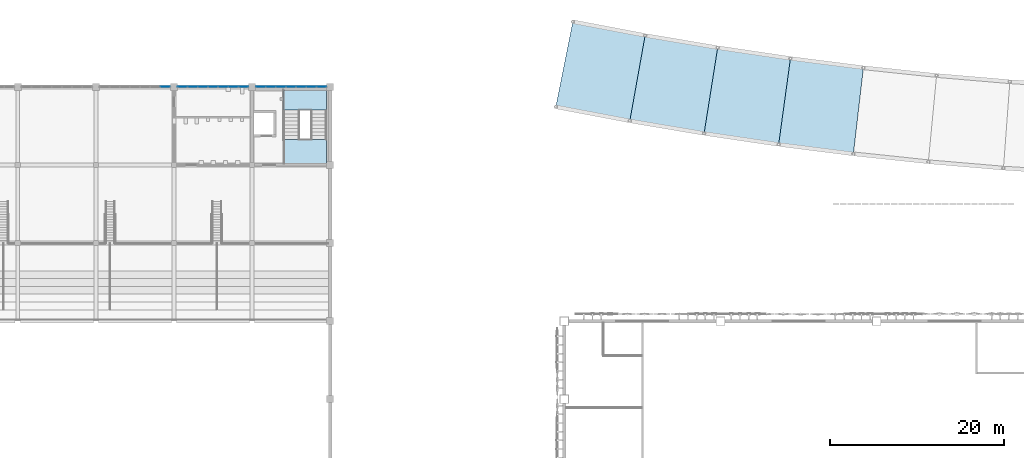
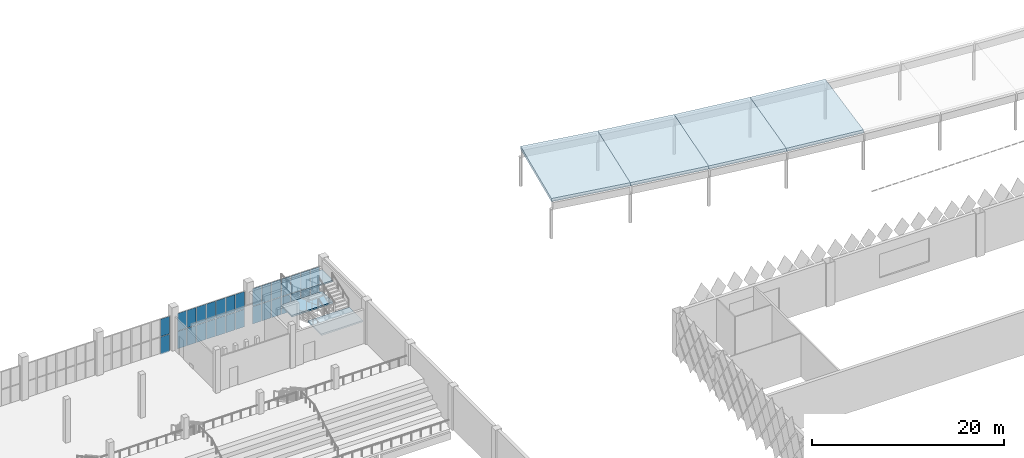
# One storey, part 90 of 185: 30 plates, 7 slabs, 4 elements without a shape of their own.
"""IFC4 building model written with IfcOpenShell, lengths in metres."""

from ifc_helpers import new_model, si_unit, direction, frame, origin, origin_2d, place, context, subcontext, project, spatial, polyline, rectangle, outline, extrude, material, layer, layer_set, type_object, element, aggregate, save


model = new_model("IFC4")

# Units and contexts
model_context = context("Model", 3, precision=1e-05, world=origin(), true_north=direction((0.0, 1.0)))
body_context = subcontext(model_context, "Body", "Model", "MODEL_VIEW")
ifc_project = project(units=[si_unit("LENGTHUNIT", "METRE"), si_unit("AREAUNIT", "SQUARE_METRE"), si_unit("VOLUMEUNIT", "CUBIC_METRE"), si_unit("PLANEANGLEUNIT", "RADIAN"), si_unit("MASSUNIT", "GRAM", prefix="KILO")], contexts=[model_context])

# Site, building, storey
site_placement = place(None, origin())
site = spatial("IfcSite", under=ifc_project, at=site_placement, CompositionType="ELEMENT")
building_placement = place(site_placement, origin())
building = spatial("IfcBuilding", under=site, at=building_placement, Name="Opaline Strait Convention Centre", CompositionType="ELEMENT")
storey_placement = place(building_placement, frame((0.0, 0.0, 6.0)))
storey = spatial("IfcBuildingStorey", under=building, at=storey_placement, Name="L01", CompositionType="ELEMENT", Elevation=6.0)

# Slabs
ifc_material_1 = material(Name="Concrete C40", Category="concrete")
ifc_layer_1 = layer(ifc_material_1, 0.39990234375)
ifc_layer_set_1 = layer_set([ifc_layer_1], Name="Concrete C40")
slab_type_1 = type_object("IfcSlabType", Name="Arcade roof plate 400 C40", PredefinedType="ROOF", material=ifc_layer_set_1)
slab_1_placement = place(storey_placement, frame((0.0, 0.0, 4.60009765625)))
element("IfcSlab", 1, at=slab_1_placement, inside=storey, type_object=slab_type_1, Name="Strait Arcade roof plate 1", PredefinedType="ROOF", context=body_context, shape_type="SweptSolid", body=[
    extrude(outline(polyline([(98.019287109375, 177.697021484375), (106.550537109375, 176.07958984375), (108.314453125, 185.9228515625), (99.980712890625, 187.5029296875), (98.019287109375, 177.697021484375)])), origin(), (0.0, 0.0, 1.0), 0.39990234375),
])
slab_2_placement = place(storey_placement, frame((0.0, 0.0, 4.60009765625)))
element("IfcSlab", 2, at=slab_2_placement, inside=storey, type_object=slab_type_1, Name="Strait Arcade roof plate 2", PredefinedType="ROOF", context=body_context, shape_type="SweptSolid", body=[
    extrude(outline(polyline([(106.550537109375, 176.07958984375), (115.11376953125, 174.634765625), (116.67724609375, 184.51171875), (108.314453125, 185.9228515625), (106.550537109375, 176.07958984375)])), origin(), (0.0, 0.0, 1.0), 0.39990234375),
])
slab_3_placement = place(storey_placement, frame((0.0, 0.0, 4.60009765625)))
element("IfcSlab", 3, at=slab_3_placement, inside=storey, type_object=slab_type_1, Name="Strait Arcade roof plate 3", PredefinedType="ROOF", context=body_context, shape_type="SweptSolid", body=[
    extrude(outline(polyline([(115.11376953125, 174.634765625), (123.705810546875, 173.364990234375), (125.066162109375, 183.27197265625), (116.67724609375, 184.51171875), (115.11376953125, 174.634765625)])), origin(), (0.0, 0.0, 1.0), 0.39990234375),
])
slab_4_placement = place(storey_placement, frame((0.0, 0.0, 4.60009765625)))
element("IfcSlab", 4, at=slab_4_placement, inside=storey, type_object=slab_type_1, Name="Strait Arcade roof plate 4", PredefinedType="ROOF", context=body_context, shape_type="SweptSolid", body=[
    extrude(outline(polyline([(123.705810546875, 173.364990234375), (132.32275390625, 172.272216796875), (133.47802734375, 182.205078125), (125.066162109375, 183.27197265625), (123.705810546875, 173.364990234375)])), origin(), (0.0, 0.0, 1.0), 0.39990234375),
])

# Curtain wall, plates
ifc_material_2 = material(Name="Aluminium framed double glazing", Category="aluminium")
ifc_layer_2 = layer(ifc_material_2, 0.199951171875)
ifc_layer_set_2 = layer_set([ifc_layer_2], Name="Aluminium framed double glazing")
curtain_wall_type = type_object("IfcCurtainWallType", Name="Curtain wall 1250", PredefinedType="NOTDEFINED", material=ifc_layer_set_2)
curtain_wall_1_placement = place(storey_placement, origin())
curtain_wall_1 = element("IfcCurtainWall", 5, at=curtain_wall_1_placement, inside=storey, type_object=curtain_wall_type, Name="Curtain wall N-45-L01", PredefinedType="NOTDEFINED")
ifc_material_3 = material(Name="Double glazed unit low emissivity", Category="glass")
ifc_layer_3 = layer(ifc_material_3, 0.028076171875)
ifc_layer_set_3 = layer_set([ifc_layer_3], Name="Double glazed unit low emissivity")
plate_type = type_object("IfcPlateType", Name="Curtain wall glass panel 28", PredefinedType="CURTAIN_PANEL", material=ifc_layer_set_3)
plate_1_placement = place(storey_placement, frame((52.999267578125, 180.0, -0.219970703125), z_axis=(0.0, 0.0, 1.0), x_axis=(1.0, 0.0, 0.0)))
plate_1 = element("IfcPlate", 6, at=plate_1_placement, type_object=plate_type, Name="PCW panel 7.1", PredefinedType="CURTAIN_PANEL", context=body_context, shape_type="SweptSolid", body=[
    extrude(rectangle(XDim=1.08154296875, YDim=0.028076171875, at=origin_2d()), origin(), (0.0, 0.0, 1.0), 2.2099609375),
])
plate_2_placement = place(storey_placement, frame((52.999267578125, 180.0, 2.050048828125), z_axis=(0.0, 0.0, 1.0), x_axis=(1.0, 0.0, 0.0)))
plate_2 = element("IfcPlate", 7, at=plate_2_placement, type_object=plate_type, Name="PCW panel 7.2", PredefinedType="CURTAIN_PANEL", context=body_context, shape_type="SweptSolid", body=[
    extrude(rectangle(XDim=1.08154296875, YDim=0.028076171875, at=origin_2d()), origin(), (0.0, 0.0, 1.0), 2.2099609375),
])
aggregate(curtain_wall_1, [plate_1, plate_2])

curtain_wall_2_placement = place(storey_placement, origin())
curtain_wall_2 = element("IfcCurtainWall", 8, at=curtain_wall_2_placement, inside=storey, type_object=curtain_wall_type, Name="Curtain wall N-54-L01", PredefinedType="NOTDEFINED")
plate_3_placement = place(storey_placement, frame((55.000732421875, 180.0, -0.219970703125), z_axis=(0.0, 0.0, 1.0), x_axis=(1.0, 0.0, 0.0)))
plate_3 = element("IfcPlate", 9, at=plate_3_placement, type_object=plate_type, Name="PCW panel 1.1", PredefinedType="CURTAIN_PANEL", context=body_context, shape_type="SweptSolid", body=[
    extrude(rectangle(XDim=1.08154296875, YDim=0.028076171875, at=origin_2d()), origin(), (0.0, 0.0, 1.0), 2.2099609375),
])
plate_4_placement = place(storey_placement, frame((55.000732421875, 180.0, 2.050048828125), z_axis=(0.0, 0.0, 1.0), x_axis=(1.0, 0.0, 0.0)))
plate_4 = element("IfcPlate", 10, at=plate_4_placement, type_object=plate_type, Name="PCW panel 1.2", PredefinedType="CURTAIN_PANEL", context=body_context, shape_type="SweptSolid", body=[
    extrude(rectangle(XDim=1.08154296875, YDim=0.028076171875, at=origin_2d()), origin(), (0.0, 0.0, 1.0), 2.2099609375),
])
plate_5_placement = place(storey_placement, frame((56.156982421875, 180.0, -0.219970703125), z_axis=(0.0, 0.0, 1.0), x_axis=(1.0, 0.0, 0.0)))
plate_5 = element("IfcPlate", 11, at=plate_5_placement, type_object=plate_type, Name="PCW panel 2.1", PredefinedType="CURTAIN_PANEL", context=body_context, shape_type="SweptSolid", body=[
    extrude(rectangle(XDim=1.111572265625, YDim=0.028076171875, at=origin_2d()), origin(), (0.0, 0.0, 1.0), 2.2099609375),
])
plate_6_placement = place(storey_placement, frame((56.156982421875, 180.0, 2.050048828125), z_axis=(0.0, 0.0, 1.0), x_axis=(1.0, 0.0, 0.0)))
plate_6 = element("IfcPlate", 12, at=plate_6_placement, type_object=plate_type, Name="PCW panel 2.2", PredefinedType="CURTAIN_PANEL", context=body_context, shape_type="SweptSolid", body=[
    extrude(rectangle(XDim=1.111572265625, YDim=0.028076171875, at=origin_2d()), origin(), (0.0, 0.0, 1.0), 2.2099609375),
])
plate_7_placement = place(storey_placement, frame((57.32861328125, 180.0, -0.219970703125), z_axis=(0.0, 0.0, 1.0), x_axis=(1.0, 0.0, 0.0)))
plate_7 = element("IfcPlate", 13, at=plate_7_placement, type_object=plate_type, Name="PCW panel 3.1", PredefinedType="CURTAIN_PANEL", context=body_context, shape_type="SweptSolid", body=[
    extrude(rectangle(XDim=1.111572265625, YDim=0.028076171875, at=origin_2d()), origin(), (0.0, 0.0, 1.0), 2.2099609375),
])
plate_8_placement = place(storey_placement, frame((57.32861328125, 180.0, 2.050048828125), z_axis=(0.0, 0.0, 1.0), x_axis=(1.0, 0.0, 0.0)))
plate_8 = element("IfcPlate", 14, at=plate_8_placement, type_object=plate_type, Name="PCW panel 3.2", PredefinedType="CURTAIN_PANEL", context=body_context, shape_type="SweptSolid", body=[
    extrude(rectangle(XDim=1.111572265625, YDim=0.028076171875, at=origin_2d()), origin(), (0.0, 0.0, 1.0), 2.2099609375),
])
plate_9_placement = place(storey_placement, frame((58.5, 180.0, -0.219970703125), z_axis=(0.0, 0.0, 1.0), x_axis=(1.0, 0.0, 0.0)))
plate_9 = element("IfcPlate", 15, at=plate_9_placement, type_object=plate_type, Name="PCW panel 4.1", PredefinedType="CURTAIN_PANEL", context=body_context, shape_type="SweptSolid", body=[
    extrude(rectangle(XDim=1.111572265625, YDim=0.028076171875, at=origin_2d()), origin(), (0.0, 0.0, 1.0), 2.2099609375),
])
plate_10_placement = place(storey_placement, frame((58.5, 180.0, 2.050048828125), z_axis=(0.0, 0.0, 1.0), x_axis=(1.0, 0.0, 0.0)))
plate_10 = element("IfcPlate", 16, at=plate_10_placement, type_object=plate_type, Name="PCW panel 4.2", PredefinedType="CURTAIN_PANEL", context=body_context, shape_type="SweptSolid", body=[
    extrude(rectangle(XDim=1.111572265625, YDim=0.028076171875, at=origin_2d()), origin(), (0.0, 0.0, 1.0), 2.2099609375),
])
plate_11_placement = place(storey_placement, frame((59.67138671875, 180.0, -0.219970703125), z_axis=(0.0, 0.0, 1.0), x_axis=(1.0, 0.0, 0.0)))
plate_11 = element("IfcPlate", 17, at=plate_11_placement, type_object=plate_type, Name="PCW panel 5.1", PredefinedType="CURTAIN_PANEL", context=body_context, shape_type="SweptSolid", body=[
    extrude(rectangle(XDim=1.111572265625, YDim=0.028076171875, at=origin_2d()), origin(), (0.0, 0.0, 1.0), 2.2099609375),
])
plate_12_placement = place(storey_placement, frame((59.67138671875, 180.0, 2.050048828125), z_axis=(0.0, 0.0, 1.0), x_axis=(1.0, 0.0, 0.0)))
plate_12 = element("IfcPlate", 18, at=plate_12_placement, type_object=plate_type, Name="PCW panel 5.2", PredefinedType="CURTAIN_PANEL", context=body_context, shape_type="SweptSolid", body=[
    extrude(rectangle(XDim=1.111572265625, YDim=0.028076171875, at=origin_2d()), origin(), (0.0, 0.0, 1.0), 2.2099609375),
])
plate_13_placement = place(storey_placement, frame((60.843017578125, 180.0, -0.219970703125), z_axis=(0.0, 0.0, 1.0), x_axis=(1.0, 0.0, 0.0)))
plate_13 = element("IfcPlate", 19, at=plate_13_placement, type_object=plate_type, Name="PCW panel 6.1", PredefinedType="CURTAIN_PANEL", context=body_context, shape_type="SweptSolid", body=[
    extrude(rectangle(XDim=1.111572265625, YDim=0.028076171875, at=origin_2d()), origin(), (0.0, 0.0, 1.0), 2.2099609375),
])
plate_14_placement = place(storey_placement, frame((60.843017578125, 180.0, 2.050048828125), z_axis=(0.0, 0.0, 1.0), x_axis=(1.0, 0.0, 0.0)))
plate_14 = element("IfcPlate", 20, at=plate_14_placement, type_object=plate_type, Name="PCW panel 6.2", PredefinedType="CURTAIN_PANEL", context=body_context, shape_type="SweptSolid", body=[
    extrude(rectangle(XDim=1.111572265625, YDim=0.028076171875, at=origin_2d()), origin(), (0.0, 0.0, 1.0), 2.2099609375),
])
plate_15_placement = place(storey_placement, frame((61.999267578125, 180.0, -0.219970703125), z_axis=(0.0, 0.0, 1.0), x_axis=(1.0, 0.0, 0.0)))
plate_15 = element("IfcPlate", 21, at=plate_15_placement, type_object=plate_type, Name="PCW panel 7.1", PredefinedType="CURTAIN_PANEL", context=body_context, shape_type="SweptSolid", body=[
    extrude(rectangle(XDim=1.08154296875, YDim=0.028076171875, at=origin_2d()), origin(), (0.0, 0.0, 1.0), 2.2099609375),
])
plate_16_placement = place(storey_placement, frame((61.999267578125, 180.0, 2.050048828125), z_axis=(0.0, 0.0, 1.0), x_axis=(1.0, 0.0, 0.0)))
plate_16 = element("IfcPlate", 22, at=plate_16_placement, type_object=plate_type, Name="PCW panel 7.2", PredefinedType="CURTAIN_PANEL", context=body_context, shape_type="SweptSolid", body=[
    extrude(rectangle(XDim=1.08154296875, YDim=0.028076171875, at=origin_2d()), origin(), (0.0, 0.0, 1.0), 2.2099609375),
])
aggregate(curtain_wall_2, [plate_3, plate_4, plate_5, plate_6, plate_7, plate_8, plate_9, plate_10, plate_11, plate_12, plate_13, plate_14, plate_15, plate_16])

curtain_wall_3_placement = place(storey_placement, origin())
curtain_wall_3 = element("IfcCurtainWall", 23, at=curtain_wall_3_placement, inside=storey, type_object=curtain_wall_type, Name="Curtain wall N-63-L01", PredefinedType="NOTDEFINED")
plate_17_placement = place(storey_placement, frame((64.000732421875, 180.0, -0.219970703125), z_axis=(0.0, 0.0, 1.0), x_axis=(1.0, 0.0, 0.0)))
plate_17 = element("IfcPlate", 24, at=plate_17_placement, type_object=plate_type, Name="PCW panel 1.1", PredefinedType="CURTAIN_PANEL", context=body_context, shape_type="SweptSolid", body=[
    extrude(rectangle(XDim=1.08154296875, YDim=0.028076171875, at=origin_2d()), origin(), (0.0, 0.0, 1.0), 2.2099609375),
])
plate_18_placement = place(storey_placement, frame((64.000732421875, 180.0, 2.050048828125), z_axis=(0.0, 0.0, 1.0), x_axis=(1.0, 0.0, 0.0)))
plate_18 = element("IfcPlate", 25, at=plate_18_placement, type_object=plate_type, Name="PCW panel 1.2", PredefinedType="CURTAIN_PANEL", context=body_context, shape_type="SweptSolid", body=[
    extrude(rectangle(XDim=1.08154296875, YDim=0.028076171875, at=origin_2d()), origin(), (0.0, 0.0, 1.0), 2.2099609375),
])
plate_19_placement = place(storey_placement, frame((65.156982421875, 180.0, -0.219970703125), z_axis=(0.0, 0.0, 1.0), x_axis=(1.0, 0.0, 0.0)))
plate_19 = element("IfcPlate", 26, at=plate_19_placement, type_object=plate_type, Name="PCW panel 2.1", PredefinedType="CURTAIN_PANEL", context=body_context, shape_type="SweptSolid", body=[
    extrude(rectangle(XDim=1.111572265625, YDim=0.028076171875, at=origin_2d()), origin(), (0.0, 0.0, 1.0), 2.2099609375),
])
plate_20_placement = place(storey_placement, frame((65.156982421875, 180.0, 2.050048828125), z_axis=(0.0, 0.0, 1.0), x_axis=(1.0, 0.0, 0.0)))
plate_20 = element("IfcPlate", 27, at=plate_20_placement, type_object=plate_type, Name="PCW panel 2.2", PredefinedType="CURTAIN_PANEL", context=body_context, shape_type="SweptSolid", body=[
    extrude(rectangle(XDim=1.111572265625, YDim=0.028076171875, at=origin_2d()), origin(), (0.0, 0.0, 1.0), 2.2099609375),
])
plate_21_placement = place(storey_placement, frame((66.32861328125, 180.0, -0.219970703125), z_axis=(0.0, 0.0, 1.0), x_axis=(1.0, 0.0, 0.0)))
plate_21 = element("IfcPlate", 28, at=plate_21_placement, type_object=plate_type, Name="PCW panel 3.1", PredefinedType="CURTAIN_PANEL", context=body_context, shape_type="SweptSolid", body=[
    extrude(rectangle(XDim=1.111572265625, YDim=0.028076171875, at=origin_2d()), origin(), (0.0, 0.0, 1.0), 2.2099609375),
])
plate_22_placement = place(storey_placement, frame((66.32861328125, 180.0, 2.050048828125), z_axis=(0.0, 0.0, 1.0), x_axis=(1.0, 0.0, 0.0)))
plate_22 = element("IfcPlate", 29, at=plate_22_placement, type_object=plate_type, Name="PCW panel 3.2", PredefinedType="CURTAIN_PANEL", context=body_context, shape_type="SweptSolid", body=[
    extrude(rectangle(XDim=1.111572265625, YDim=0.028076171875, at=origin_2d()), origin(), (0.0, 0.0, 1.0), 2.2099609375),
])
plate_23_placement = place(storey_placement, frame((67.5, 180.0, -0.219970703125), z_axis=(0.0, 0.0, 1.0), x_axis=(1.0, 0.0, 0.0)))
plate_23 = element("IfcPlate", 30, at=plate_23_placement, type_object=plate_type, Name="PCW panel 4.1", PredefinedType="CURTAIN_PANEL", context=body_context, shape_type="SweptSolid", body=[
    extrude(rectangle(XDim=1.111572265625, YDim=0.028076171875, at=origin_2d()), origin(), (0.0, 0.0, 1.0), 2.2099609375),
])
plate_24_placement = place(storey_placement, frame((67.5, 180.0, 2.050048828125), z_axis=(0.0, 0.0, 1.0), x_axis=(1.0, 0.0, 0.0)))
plate_24 = element("IfcPlate", 31, at=plate_24_placement, type_object=plate_type, Name="PCW panel 4.2", PredefinedType="CURTAIN_PANEL", context=body_context, shape_type="SweptSolid", body=[
    extrude(rectangle(XDim=1.111572265625, YDim=0.028076171875, at=origin_2d()), origin(), (0.0, 0.0, 1.0), 2.2099609375),
])
plate_25_placement = place(storey_placement, frame((68.67138671875, 180.0, -0.219970703125), z_axis=(0.0, 0.0, 1.0), x_axis=(1.0, 0.0, 0.0)))
plate_25 = element("IfcPlate", 32, at=plate_25_placement, type_object=plate_type, Name="PCW panel 5.1", PredefinedType="CURTAIN_PANEL", context=body_context, shape_type="SweptSolid", body=[
    extrude(rectangle(XDim=1.111572265625, YDim=0.028076171875, at=origin_2d()), origin(), (0.0, 0.0, 1.0), 2.2099609375),
])
plate_26_placement = place(storey_placement, frame((68.67138671875, 180.0, 2.050048828125), z_axis=(0.0, 0.0, 1.0), x_axis=(1.0, 0.0, 0.0)))
plate_26 = element("IfcPlate", 33, at=plate_26_placement, type_object=plate_type, Name="PCW panel 5.2", PredefinedType="CURTAIN_PANEL", context=body_context, shape_type="SweptSolid", body=[
    extrude(rectangle(XDim=1.111572265625, YDim=0.028076171875, at=origin_2d()), origin(), (0.0, 0.0, 1.0), 2.2099609375),
])
plate_27_placement = place(storey_placement, frame((69.843017578125, 180.0, -0.219970703125), z_axis=(0.0, 0.0, 1.0), x_axis=(1.0, 0.0, 0.0)))
plate_27 = element("IfcPlate", 34, at=plate_27_placement, type_object=plate_type, Name="PCW panel 6.1", PredefinedType="CURTAIN_PANEL", context=body_context, shape_type="SweptSolid", body=[
    extrude(rectangle(XDim=1.111572265625, YDim=0.028076171875, at=origin_2d()), origin(), (0.0, 0.0, 1.0), 2.2099609375),
])
plate_28_placement = place(storey_placement, frame((69.843017578125, 180.0, 2.050048828125), z_axis=(0.0, 0.0, 1.0), x_axis=(1.0, 0.0, 0.0)))
plate_28 = element("IfcPlate", 35, at=plate_28_placement, type_object=plate_type, Name="PCW panel 6.2", PredefinedType="CURTAIN_PANEL", context=body_context, shape_type="SweptSolid", body=[
    extrude(rectangle(XDim=1.111572265625, YDim=0.028076171875, at=origin_2d()), origin(), (0.0, 0.0, 1.0), 2.2099609375),
])
plate_29_placement = place(storey_placement, frame((70.999267578125, 180.0, -0.219970703125), z_axis=(0.0, 0.0, 1.0), x_axis=(1.0, 0.0, 0.0)))
plate_29 = element("IfcPlate", 36, at=plate_29_placement, type_object=plate_type, Name="PCW panel 7.1", PredefinedType="CURTAIN_PANEL", context=body_context, shape_type="SweptSolid", body=[
    extrude(rectangle(XDim=1.08154296875, YDim=0.028076171875, at=origin_2d()), origin(), (0.0, 0.0, 1.0), 2.2099609375),
])
plate_30_placement = place(storey_placement, frame((70.999267578125, 180.0, 2.050048828125), z_axis=(0.0, 0.0, 1.0), x_axis=(1.0, 0.0, 0.0)))
plate_30 = element("IfcPlate", 37, at=plate_30_placement, type_object=plate_type, Name="PCW panel 7.2", PredefinedType="CURTAIN_PANEL", context=body_context, shape_type="SweptSolid", body=[
    extrude(rectangle(XDim=1.08154296875, YDim=0.028076171875, at=origin_2d()), origin(), (0.0, 0.0, 1.0), 2.2099609375),
])
aggregate(curtain_wall_3, [plate_17, plate_18, plate_19, plate_20, plate_21, plate_22, plate_23, plate_24, plate_25, plate_26, plate_27, plate_28, plate_29, plate_30])

# Stair, slabs
stair_type = type_object("IfcStairType", Name="Core stair half turn 2400", PredefinedType="HALF_TURN_STAIR", material=ifc_material_1)
stair_placement = place(storey_placement, origin())
stair = element("IfcStair", 38, at=stair_placement, inside=storey, type_object=stair_type, Name="L01 NE core stair", ObjectType="PST2", PredefinedType="HALF_TURN_STAIR")
ifc_layer_4 = layer(ifc_material_1, 0.199951171875)
ifc_layer_set_4 = layer_set([ifc_layer_4], Name="Concrete C40")
slab_type_2 = type_object("IfcSlabType", Name="Stair landing 200 precast", PredefinedType="LANDING", material=ifc_layer_set_4)
slab_5_placement = place(storey_placement, frame((0.0, 0.0, 1.175048828125)))
slab_5 = element("IfcSlab", 39, at=slab_5_placement, type_object=slab_type_2, Name="PSR4 landing 1", ObjectType="PSL1", PredefinedType="LANDING", context=body_context, shape_type="SweptSolid", body=[
    extrude(outline(polyline([(71.60009765625, 177.31005859375), (71.60009765625, 179.550048828125), (66.64990234375, 179.550048828125), (66.64990234375, 177.31005859375), (71.60009765625, 177.31005859375)])), origin(), (0.0, 0.0, 1.0), 0.199951171875),
])
slab_6_placement = place(storey_placement, frame((0.0, 0.0, 2.550048828125)))
slab_6 = element("IfcSlab", 40, at=slab_6_placement, type_object=slab_type_2, Name="PSR4 landing 2", ObjectType="PSL1", PredefinedType="LANDING", context=body_context, shape_type="SweptSolid", body=[
    extrude(outline(polyline([(71.60009765625, 171.14990234375), (71.60009765625, 173.949951171875), (66.64990234375, 173.949951171875), (66.64990234375, 171.14990234375), (71.60009765625, 171.14990234375)])), origin(), (0.0, 0.0, 1.0), 0.199951171875),
])
slab_7_placement = place(storey_placement, frame((0.0, 0.0, 3.925048828125)))
slab_7 = element("IfcSlab", 41, at=slab_7_placement, type_object=slab_type_2, Name="PSR4 landing 3", ObjectType="PSL1", PredefinedType="LANDING", context=body_context, shape_type="SweptSolid", body=[
    extrude(outline(polyline([(71.60009765625, 177.31005859375), (71.60009765625, 179.550048828125), (66.64990234375, 179.550048828125), (66.64990234375, 177.31005859375), (71.60009765625, 177.31005859375)])), origin(), (0.0, 0.0, 1.0), 0.199951171875),
])
aggregate(stair, [slab_5, slab_6, slab_7])

save(model, "model.ifc")
